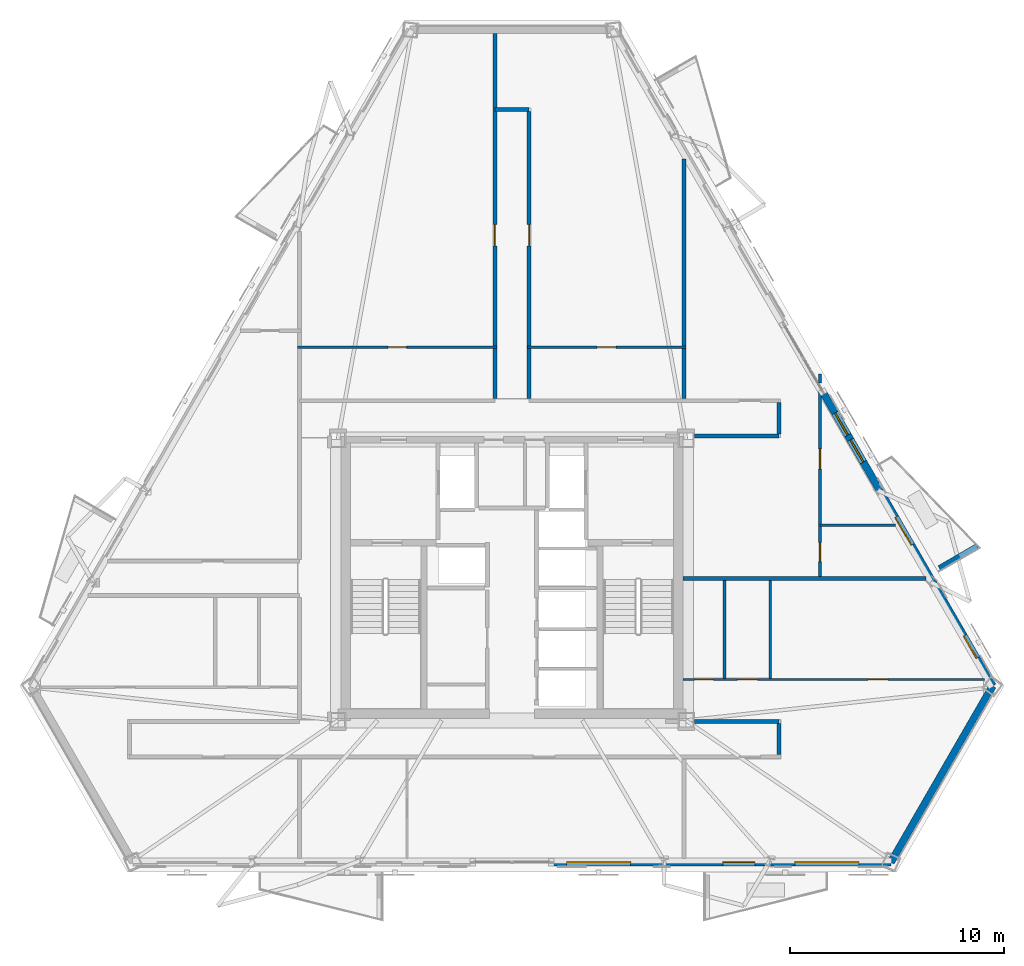
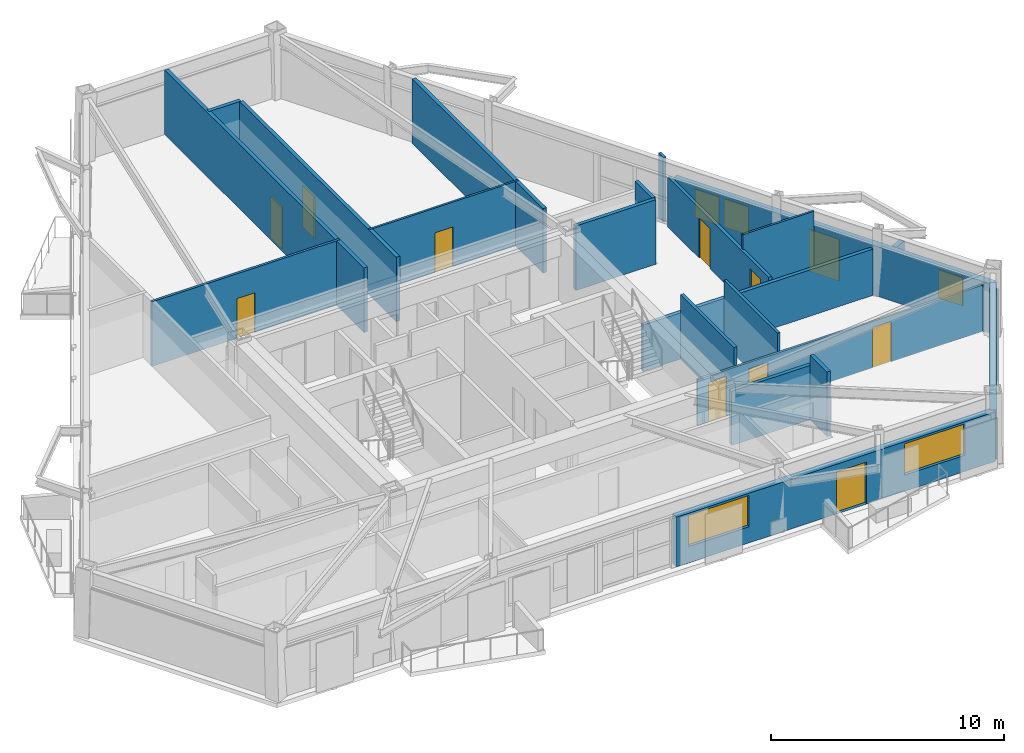
# One storey, part 9 of 14: 21 walls, 11 doors, 5 windows, 16 openings.
"""IFC4 building model written with IfcOpenShell, lengths in metres."""

from ifc_helpers import new_model, si_unit, direction, frame, frame_2d, origin, place, context, subcontext, project, spatial, polyline, rectangle, outline, extrude, material, layer, layer_set, type_object, element, fill, save


model = new_model("IFC4")

# Units and contexts
model_context = context("Model", 3, precision=1e-05, world=origin(), true_north=direction((0.0, 1.0)))
body_context = subcontext(model_context, "Body", "Model", "MODEL_VIEW")
ifc_project = project(units=[si_unit("LENGTHUNIT", "METRE"), si_unit("AREAUNIT", "SQUARE_METRE"), si_unit("VOLUMEUNIT", "CUBIC_METRE"), si_unit("PLANEANGLEUNIT", "RADIAN"), si_unit("MASSUNIT", "GRAM", prefix="KILO")], contexts=[model_context])

# Site, building, storey
site_placement = place(None, origin())
site = spatial("IfcSite", under=ifc_project, at=site_placement, CompositionType="ELEMENT")
building_placement = place(site_placement, origin())
building = spatial("IfcBuilding", under=site, at=building_placement, Name="Oramaril Tower", CompositionType="ELEMENT")
storey_placement = place(building_placement, frame((0.0, 0.0, 149.39990234375)))
storey = spatial("IfcBuildingStorey", under=building, at=storey_placement, Name="L39", CompositionType="ELEMENT", Elevation=149.39990234375)

# Wall, openings, door, windows
ifc_material_1 = material(Name="Warm Cream Limestone", Category="masonry")
ifc_layer_1 = layer(ifc_material_1, 0.340087890625)
ifc_layer_set_1 = layer_set([ifc_layer_1], Name="WT-EXT34")
wall_type_1 = type_object("IfcWallType", Name="WT-EXT34", PredefinedType="SOLIDWALL", material=ifc_layer_set_1)
wall_1_placement = place(storey_placement, frame((39.449951171875, 4.356689453125, 0.0), z_axis=(0.0, 0.0, 1.0), x_axis=(1.0, 0.0, 0.0)))
wall_1 = element("IfcWall", 1, at=wall_1_placement, inside=storey, type_object=wall_type_1, Name="L39 Tower Limestone Facade Wall 2R", PredefinedType="SOLIDWALL", context=body_context, shape_type="SweptSolid", body=[
    extrude(rectangle(XDim=15.7861328125, YDim=0.340087890625, at=frame_2d((7.89306640625, 0.0))), origin(), (0.0, 0.0, 1.0), 2.60009765625),
])
opening_1_placement = place(wall_1_placement, frame((7.91650390625, 0.0, 0.0)))
opening_1 = element("IfcOpeningElement", 2, at=opening_1_placement, cuts=wall_1, Name="Opening D-L39-BAL-S2", PredefinedType="OPENING", context=body_context, shape_type="SweptSolid", body=[
    extrude(rectangle(XDim=1.5, YDim=2.199951171875, at=frame_2d((0.75, 1.10009765625))), frame((0.0, 0.169921875, 0.0), z_axis=(0.0, -1.0, 0.0), x_axis=(1.0, 0.0, 0.0)), (0.0, 0.0, 1.0), 0.340087890625),
])
opening_2_placement = place(wall_1_placement, frame((0.60302734375, 0.0, 0.85009765625)))
opening_2 = element("IfcOpeningElement", 3, at=opening_2_placement, cuts=wall_1, Name="Opening WN-10", PredefinedType="OPENING", context=body_context, shape_type="SweptSolid", body=[
    extrude(rectangle(XDim=3.0, YDim=1.639892578125, at=frame_2d((1.5, 0.81982421875))), frame((0.0, 0.169921875, 0.0), z_axis=(0.0, -1.0, 0.0), x_axis=(1.0, 0.0, 0.0)), (0.0, 0.0, 1.0), 0.340087890625),
])
opening_3_placement = place(wall_1_placement, frame((11.29150390625, 0.0, 0.85009765625)))
opening_3 = element("IfcOpeningElement", 4, at=opening_3_placement, cuts=wall_1, Name="Opening WN-10", PredefinedType="OPENING", context=body_context, shape_type="SweptSolid", body=[
    extrude(rectangle(XDim=3.0, YDim=1.639892578125, at=frame_2d((1.5, 0.81982421875))), frame((0.0, 0.169921875, 0.0), z_axis=(0.0, -1.0, 0.0), x_axis=(1.0, 0.0, 0.0)), (0.0, 0.0, 1.0), 0.340087890625),
])
ifc_material_2 = material(Name="Anodised Aluminium 6063-T6", Category="aluminium")
door_type_1 = type_object("IfcDoorType", Name="DT-BAL", OperationType="NOTDEFINED", PredefinedType="DOOR", material=ifc_material_2)
door_1_placement = place(opening_1_placement, origin())
door_1 = element("IfcDoor", 5, at=door_1_placement, inside=storey, type_object=door_type_1, Name="L39 Balcony Glazed Door L39-BAL-S2", OperationType="SINGLE_SWING_LEFT", OverallHeight=2.199951171875, OverallWidth=1.5, PredefinedType="DOOR", context=body_context, shape_type="SweptSolid", body=[
    extrude(rectangle(XDim=1.5, YDim=2.199951171875, at=frame_2d((0.75, 1.10009765625))), frame((0.0, 0.02490234375, 0.0), z_axis=(0.0, -1.0, 0.0), x_axis=(1.0, 0.0, 0.0)), (0.0, 0.0, 1.0), 0.050048828125),
])
fill(opening_1, door_1)
ifc_material_3 = material(Name="Coastal Low-E Insulated Glass", Category="glass")
window_type_1 = type_object("IfcWindowType", Name="WNT-10", PartitioningType="SINGLE_PANEL", PredefinedType="WINDOW", material=ifc_material_3)
window_1_placement = place(opening_2_placement, origin())
window_1 = element("IfcWindow", 6, at=window_1_placement, inside=storey, type_object=window_type_1, Name="L39 Chicago Bay Window WN-10", OverallHeight=1.639892578125, OverallWidth=3.0, PartitioningType="SINGLE_PANEL", PredefinedType="WINDOW", context=body_context, shape_type="SweptSolid", body=[
    extrude(rectangle(XDim=3.0, YDim=1.639892578125, at=frame_2d((1.5, 0.81982421875))), frame((0.0, 0.030029296875, 0.0), z_axis=(0.0, -1.0, 0.0), x_axis=(1.0, 0.0, 0.0)), (0.0, 0.0, 1.0), 0.06005859375),
])
fill(opening_2, window_1)
window_2_placement = place(opening_3_placement, origin())
window_2 = element("IfcWindow", 7, at=window_2_placement, inside=storey, type_object=window_type_1, Name="L39 Chicago Bay Window WN-10", OverallHeight=1.639892578125, OverallWidth=3.0, PartitioningType="SINGLE_PANEL", PredefinedType="WINDOW", context=body_context, shape_type="SweptSolid", body=[
    extrude(rectangle(XDim=3.0, YDim=1.639892578125, at=frame_2d((1.5, 0.81982421875))), frame((0.0, 0.030029296875, 0.0), z_axis=(0.0, -1.0, 0.0), x_axis=(1.0, 0.0, 0.0)), (0.0, 0.0, 1.0), 0.06005859375),
])
fill(opening_3, window_2)

# Wall
wall_2_placement = place(storey_placement, frame((55.236083984375, 4.356689453125, 0.0), z_axis=(0.0, 0.0, 1.0), x_axis=(0.499981853705, 0.866035880299, 0.0)))
element("IfcWall", 8, at=wall_2_placement, inside=storey, type_object=wall_type_1, Name="L39 Tower Limestone Facade Wall 3M", PredefinedType="SOLIDWALL", context=body_context, shape_type="SweptSolid", body=[
    extrude(rectangle(XDim=9.531982421875, YDim=0.340087890625, at=frame_2d((4.76611328125, 0.0))), origin(), (0.0, 0.0, 1.0), 2.60009765625),
])

# Wall, openings, door, windows
wall_3_placement = place(storey_placement, frame((60.001953125, 12.61181640625, 0.0), z_axis=(0.0, 0.0, 1.0), x_axis=(-0.500001356826, 0.866024620419, 0.0)))
wall_3 = element("IfcWall", 9, at=wall_3_placement, inside=storey, type_object=wall_type_1, Name="L39 Tower Limestone Facade Wall 4L", PredefinedType="SOLIDWALL", context=body_context, shape_type="SweptSolid", body=[
    extrude(rectangle(XDim=15.7861328125, YDim=0.340087890625, at=frame_2d((7.89306640625, 0.0))), origin(), (0.0, 0.0, 1.0), 2.60009765625),
])
opening_4_placement = place(wall_3_placement, frame((7.614501953125, 0.0, 0.0)))
opening_4 = element("IfcOpeningElement", 10, at=opening_4_placement, cuts=wall_3, Name="Opening D-L39-BAL-NE1", PredefinedType="OPENING", context=body_context, shape_type="SweptSolid", body=[
    extrude(rectangle(XDim=1.5, YDim=2.199951171875, at=frame_2d((0.75, 1.10009765625))), frame((0.0, 0.169921875, 0.0), z_axis=(0.0, -1.0, 0.0), x_axis=(1.0, 0.0, 0.0)), (0.0, 0.0, 1.0), 0.340087890625),
])
opening_5_placement = place(wall_3_placement, frame((1.50244140625, 0.0, 0.85009765625)))
opening_5 = element("IfcOpeningElement", 11, at=opening_5_placement, cuts=wall_3, Name="Opening WN-09", PredefinedType="OPENING", context=body_context, shape_type="SweptSolid", body=[
    extrude(rectangle(XDim=1.199951171875, YDim=1.47998046875, at=frame_2d((0.60009765625, 0.739990234375))), frame((0.0, 0.169921875, 0.0), z_axis=(0.0, -1.0, 0.0), x_axis=(1.0, 0.0, 0.0)), (0.0, 0.0, 1.0), 0.340087890625),
])
opening_6_placement = place(wall_3_placement, frame((13.561279296875, 0.0, 0.85009765625)))
opening_6 = element("IfcOpeningElement", 12, at=opening_6_placement, cuts=wall_3, Name="Opening WN-09", PredefinedType="OPENING", context=body_context, shape_type="SweptSolid", body=[
    extrude(rectangle(XDim=1.199951171875, YDim=1.47998046875, at=frame_2d((0.60009765625, 0.739990234375))), frame((0.0, 0.169921875, 0.0), z_axis=(0.0, -1.0, 0.0), x_axis=(1.0, 0.0, 0.0)), (0.0, 0.0, 1.0), 0.340087890625),
])
opening_7_placement = place(wall_3_placement, frame((12.105224609375, 0.0, 0.85009765625)))
opening_7 = element("IfcOpeningElement", 13, at=opening_7_placement, cuts=wall_3, Name="Opening WN-09", PredefinedType="OPENING", context=body_context, shape_type="SweptSolid", body=[
    extrude(rectangle(XDim=1.199951171875, YDim=1.47998046875, at=frame_2d((0.60009765625, 0.739990234375))), frame((0.0, 0.169921875, 0.0), z_axis=(0.0, -1.0, 0.0), x_axis=(1.0, 0.0, 0.0)), (0.0, 0.0, 1.0), 0.340087890625),
])
door_2_placement = place(opening_4_placement, origin())
door_2 = element("IfcDoor", 14, at=door_2_placement, inside=storey, type_object=door_type_1, Name="L39 Balcony Glazed Door L39-BAL-NE1", OperationType="SINGLE_SWING_RIGHT", OverallHeight=2.199951171875, OverallWidth=1.5, PredefinedType="DOOR", context=body_context, shape_type="SweptSolid", body=[
    extrude(rectangle(XDim=1.5, YDim=2.199951171875, at=frame_2d((0.75, 1.10009765625))), frame((0.0, 0.02490234375, 0.0), z_axis=(0.0, -1.0, 0.0), x_axis=(1.0, 0.0, 0.0)), (0.0, 0.0, 1.0), 0.050048828125),
])
fill(opening_4, door_2)
ifc_material_4 = material(Name="Coastal Low-E Insulated Glass", Category="glass")
window_type_2 = type_object("IfcWindowType", Name="WNT-09", PartitioningType="SINGLE_PANEL", PredefinedType="WINDOW", material=ifc_material_4)
window_3_placement = place(opening_5_placement, origin())
window_3 = element("IfcWindow", 15, at=window_3_placement, inside=storey, type_object=window_type_2, Name="L39 Chicago Bay Window WN-09", OverallHeight=1.47998046875, OverallWidth=1.199951171875, PartitioningType="SINGLE_PANEL", PredefinedType="WINDOW", context=body_context, shape_type="SweptSolid", body=[
    extrude(rectangle(XDim=1.199951171875, YDim=1.47998046875, at=frame_2d((0.60009765625, 0.739990234375))), frame((0.0, 0.030029296875, 0.0), z_axis=(0.0, -1.0, 0.0), x_axis=(1.0, 0.0, 0.0)), (0.0, 0.0, 1.0), 0.06005859375),
])
fill(opening_5, window_3)
window_4_placement = place(opening_6_placement, origin())
window_4 = element("IfcWindow", 16, at=window_4_placement, inside=storey, type_object=window_type_2, Name="L39 Chicago Bay Window WN-09", OverallHeight=1.47998046875, OverallWidth=1.199951171875, PartitioningType="SINGLE_PANEL", PredefinedType="WINDOW", context=body_context, shape_type="SweptSolid", body=[
    extrude(rectangle(XDim=1.199951171875, YDim=1.47998046875, at=frame_2d((0.60009765625, 0.739990234375))), frame((0.0, 0.030029296875, 0.0), z_axis=(0.0, -1.0, 0.0), x_axis=(1.0, 0.0, 0.0)), (0.0, 0.0, 1.0), 0.06005859375),
])
fill(opening_6, window_4)
window_5_placement = place(opening_7_placement, origin())
window_5 = element("IfcWindow", 17, at=window_5_placement, inside=storey, type_object=window_type_2, Name="L39 Chicago Bay Window WN-09", OverallHeight=1.47998046875, OverallWidth=1.199951171875, PartitioningType="SINGLE_PANEL", PredefinedType="WINDOW", context=body_context, shape_type="SweptSolid", body=[
    extrude(rectangle(XDim=1.199951171875, YDim=1.47998046875, at=frame_2d((0.60009765625, 0.739990234375))), frame((0.0, 0.030029296875, 0.0), z_axis=(0.0, -1.0, 0.0), x_axis=(1.0, 0.0, 0.0)), (0.0, 0.0, 1.0), 0.06005859375),
])
fill(opening_7, window_5)

# Wall
ifc_material_5 = material(Name="Concrete C40/50", Category="concrete")
ifc_layer_2 = layer(ifc_material_5, 0.22998046875)
ifc_layer_set_2 = layer_set([ifc_layer_2], Name="WT-PRP23")
wall_type_2 = type_object("IfcWallType", Name="WT-PRP23", PredefinedType="PARAPET", material=ifc_layer_set_2)
wall_4_placement = place(storey_placement, frame((57.500244140625, 18.14111328125, 0.0), z_axis=(0.0, 0.0, 1.0), x_axis=(0.866012356593, 0.500022597718, 0.0)))
element("IfcWall", 18, at=wall_4_placement, inside=storey, type_object=wall_type_2, Name="L39 Trapezoidal Balcony Frame Cheek L39-BAL-NE1-L", PredefinedType="PARAPET", context=body_context, shape_type="SweptSolid", body=[
    extrude(outline(polyline([(0.0, 0.0), (2.0419921875, 0.0), (2.0419921875, 1.10009765625), (0.0, 1.320068359375), (0.0, 0.0)])), frame((0.0, 0.114990234375, 0.0), z_axis=(0.0, -1.0, 0.0), x_axis=(1.0, 0.0, 0.0)), (0.0, 0.0, 1.0), 0.22998046875),
])

# Wall, openings, doors
ifc_material_6 = material(Name="Acoustic Gypsum Board Partition")
ifc_layer_3 = layer(ifc_material_6, 0.10009765625)
ifc_layer_set_3 = layer_set([ifc_layer_3], Name="WT-PT10")
wall_type_3 = type_object("IfcWallType", Name="WT-PT10", PredefinedType="PARTITIONING", material=ifc_layer_set_3)
wall_5_placement = place(storey_placement, frame((45.513916015625, 12.919921875, 0.0), z_axis=(0.0, 0.0, 1.0), x_axis=(1.0, 0.0, 0.0)))
wall_5 = element("IfcWall", 19, at=wall_5_placement, inside=storey, type_object=wall_type_3, Name="L39 Interior Partition PT-10", PredefinedType="PARTITIONING", context=body_context, shape_type="SweptSolid", body=[
    extrude(rectangle(XDim=14.09814453125, YDim=0.10009765625, at=frame_2d((7.049072265625, 0.0))), origin(), (0.0, 0.0, 1.0), 2.420166015625),
])
opening_8_placement = place(wall_5_placement, frame((0.535888671875, 0.0, 0.0)))
opening_8 = element("IfcOpeningElement", 20, at=opening_8_placement, cuts=wall_5, Name="Opening D-L39-07", PredefinedType="OPENING", context=body_context, shape_type="SweptSolid", body=[
    extrude(rectangle(XDim=0.8798828125, YDim=2.080078125, at=frame_2d((0.43994140625, 1.0400390625))), frame((0.0, 0.050048828125, 0.0), z_axis=(0.0, -1.0, 0.0), x_axis=(1.0, 0.0, 0.0)), (0.0, 0.0, 1.0), 0.10009765625),
])
opening_9_placement = place(wall_5_placement, frame((2.531494140625, 0.0, 0.0)))
opening_9 = element("IfcOpeningElement", 21, at=opening_9_placement, cuts=wall_5, Name="Opening D-L39-08", PredefinedType="OPENING", context=body_context, shape_type="SweptSolid", body=[
    extrude(rectangle(XDim=0.949951171875, YDim=2.10009765625, at=frame_2d((0.47509765625, 1.050048828125))), frame((0.0, 0.050048828125, 0.0), z_axis=(0.0, -1.0, 0.0), x_axis=(1.0, 0.0, 0.0)), (0.0, 0.0, 1.0), 0.10009765625),
])
opening_10_placement = place(wall_5_placement, frame((8.662353515625, 0.0, 0.0)))
opening_10 = element("IfcOpeningElement", 22, at=opening_10_placement, cuts=wall_5, Name="Opening D-L39-09", PredefinedType="OPENING", context=body_context, shape_type="SweptSolid", body=[
    extrude(rectangle(XDim=0.919921875, YDim=2.1201171875, at=frame_2d((0.4599609375, 1.06005859375))), frame((0.0, 0.050048828125, 0.0), z_axis=(0.0, -1.0, 0.0), x_axis=(1.0, 0.0, 0.0)), (0.0, 0.0, 1.0), 0.10009765625),
])
ifc_material_7 = material(Name="FSC Brazilian Freijo Hardwood", Category="wood")
door_type_2 = type_object("IfcDoorType", Name="DT-BATH", OperationType="NOTDEFINED", PredefinedType="DOOR", material=ifc_material_7)
door_3_placement = place(opening_8_placement, origin())
door_3 = element("IfcDoor", 23, at=door_3_placement, inside=storey, type_object=door_type_2, Name="L39 Flat L39-U4 Bathroom Door D-L39-07", OperationType="SINGLE_SWING_RIGHT", OverallHeight=2.080078125, OverallWidth=0.8798828125, PredefinedType="DOOR", context=body_context, shape_type="SweptSolid", body=[
    extrude(rectangle(XDim=0.8798828125, YDim=2.080078125, at=frame_2d((0.43994140625, 1.0400390625))), frame((0.0, 0.02490234375, 0.0), z_axis=(0.0, -1.0, 0.0), x_axis=(1.0, 0.0, 0.0)), (0.0, 0.0, 1.0), 0.050048828125),
])
fill(opening_8, door_3)
ifc_material_8 = material(Name="FSC Brazilian Freijo Hardwood", Category="wood")
door_type_3 = type_object("IfcDoorType", Name="DT-BED", OperationType="NOTDEFINED", PredefinedType="DOOR", material=ifc_material_8)
door_4_placement = place(opening_10_placement, origin())
door_4 = element("IfcDoor", 24, at=door_4_placement, inside=storey, type_object=door_type_3, Name="L39 Flat L39-U4 Master Bedroom Door D-L39-09", OperationType="SINGLE_SWING_RIGHT", OverallHeight=2.1201171875, OverallWidth=0.919921875, PredefinedType="DOOR", context=body_context, shape_type="SweptSolid", body=[
    extrude(rectangle(XDim=0.919921875, YDim=2.1201171875, at=frame_2d((0.4599609375, 1.06005859375))), frame((0.0, 0.02490234375, 0.0), z_axis=(0.0, -1.0, 0.0), x_axis=(1.0, 0.0, 0.0)), (0.0, 0.0, 1.0), 0.050048828125),
])
fill(opening_10, door_4)
ifc_material_9 = material(Name="FSC Brazilian Freijo Hardwood", Category="wood")
door_type_4 = type_object("IfcDoorType", Name="DT-STDY", OperationType="NOTDEFINED", PredefinedType="DOOR", material=ifc_material_9)
door_5_placement = place(opening_9_placement, origin())
door_5 = element("IfcDoor", 25, at=door_5_placement, inside=storey, type_object=door_type_4, Name="L39 Flat L39-U4 Kitchen Door D-L39-08", OperationType="SINGLE_SWING_LEFT", OverallHeight=2.10009765625, OverallWidth=0.949951171875, PredefinedType="DOOR", context=body_context, shape_type="SweptSolid", body=[
    extrude(rectangle(XDim=0.949951171875, YDim=2.10009765625, at=frame_2d((0.47509765625, 1.050048828125))), frame((0.0, 0.02490234375, 0.0), z_axis=(0.0, -1.0, 0.0), x_axis=(1.0, 0.0, 0.0)), (0.0, 0.0, 1.0), 0.050048828125),
])
fill(opening_9, door_5)

# Wall
wall_6_placement = place(storey_placement, frame((51.921630859375, 20.139892578125, 0.0), z_axis=(0.0, 0.0, 1.0), x_axis=(1.0, 0.0, 0.0)))
element("IfcWall", 26, at=wall_6_placement, inside=storey, type_object=wall_type_3, Name="L39 Interior Partition PT-10", PredefinedType="PARTITIONING", context=body_context, shape_type="SweptSolid", body=[
    extrude(rectangle(XDim=3.532958984375, YDim=0.10009765625, at=frame_2d((1.7666015625, 0.0))), origin(), (0.0, 0.0, 1.0), 3.380126953125),
])

# Wall, opening, door
wall_7_placement = place(storey_placement, frame((38.218017578125, 28.469970703125, 0.0), z_axis=(0.0, 0.0, 1.0), x_axis=(1.0, 0.0, 0.0)))
wall_7 = element("IfcWall", 27, at=wall_7_placement, inside=storey, type_object=wall_type_3, Name="L39 Interior Partition PT-10", PredefinedType="PARTITIONING", context=body_context, shape_type="SweptSolid", body=[
    extrude(rectangle(XDim=7.424072265625, YDim=0.10009765625, at=frame_2d((3.7119140625, 0.0))), origin(), (0.0, 0.0, 1.0), 3.380126953125),
])
opening_11_placement = place(wall_7_placement, frame((3.27197265625, 0.0, 0.0)))
opening_11 = element("IfcOpeningElement", 28, at=opening_11_placement, cuts=wall_7, Name="Opening D-L39-13", PredefinedType="OPENING", context=body_context, shape_type="SweptSolid", body=[
    extrude(rectangle(XDim=0.8798828125, YDim=2.080078125, at=frame_2d((0.43994140625, 1.0400390625))), frame((0.0, 0.050048828125, 0.0), z_axis=(0.0, -1.0, 0.0), x_axis=(1.0, 0.0, 0.0)), (0.0, 0.0, 1.0), 0.10009765625),
])
door_6_placement = place(opening_11_placement, origin())
door_6 = element("IfcDoor", 29, at=door_6_placement, inside=storey, type_object=door_type_2, Name="L39 Flat L39-U7 Bathroom Door D-L39-13", OperationType="SINGLE_SWING_RIGHT", OverallHeight=2.080078125, OverallWidth=0.8798828125, PredefinedType="DOOR", context=body_context, shape_type="SweptSolid", body=[
    extrude(rectangle(XDim=0.8798828125, YDim=2.080078125, at=frame_2d((0.43994140625, 1.0400390625))), frame((0.0, 0.02490234375, 0.0), z_axis=(0.0, -1.0, 0.0), x_axis=(1.0, 0.0, 0.0)), (0.0, 0.0, 1.0), 0.050048828125),
])
fill(opening_11, door_6)

ifc_material_10 = material(Name="Acoustic Gypsum Board Partition")
ifc_layer_4 = layer(ifc_material_10, 0.1201171875)
ifc_layer_set_4 = layer_set([ifc_layer_4], Name="WT-PT12")
wall_type_4 = type_object("IfcWallType", Name="WT-PT12", PredefinedType="PARTITIONING", material=ifc_layer_set_4)
wall_8_placement = place(storey_placement, frame((27.468017578125, 28.469970703125, 0.0), z_axis=(0.0, 0.0, 1.0), x_axis=(1.0, 0.0, 0.0)))
wall_8 = element("IfcWall", 30, at=wall_8_placement, inside=storey, type_object=wall_type_4, Name="L39 Interior Partition PT-12", PredefinedType="PARTITIONING", context=body_context, shape_type="SweptSolid", body=[
    extrude(rectangle(XDim=9.31396484375, YDim=0.1201171875, at=frame_2d((4.656982421875, 0.0))), origin(), (0.0, 0.0, 1.0), 3.380126953125),
])
opening_12_placement = place(wall_8_placement, frame((4.217041015625, 0.0, 0.0)))
opening_12 = element("IfcOpeningElement", 31, at=opening_12_placement, cuts=wall_8, Name="Opening D-L39-12", PredefinedType="OPENING", context=body_context, shape_type="SweptSolid", body=[
    extrude(rectangle(XDim=0.8798828125, YDim=2.080078125, at=frame_2d((0.43994140625, 1.0400390625))), frame((0.0, 0.06005859375, 0.0), z_axis=(0.0, -1.0, 0.0), x_axis=(1.0, 0.0, 0.0)), (0.0, 0.0, 1.0), 0.1201171875),
])
door_7_placement = place(opening_12_placement, origin())
door_7 = element("IfcDoor", 32, at=door_7_placement, inside=storey, type_object=door_type_2, Name="L39 Flat L39-U6 Bathroom Door D-L39-12", OperationType="SINGLE_SWING_LEFT", OverallHeight=2.080078125, OverallWidth=0.8798828125, PredefinedType="DOOR", context=body_context, shape_type="SweptSolid", body=[
    extrude(rectangle(XDim=0.8798828125, YDim=2.080078125, at=frame_2d((0.43994140625, 1.0400390625))), frame((0.0, 0.02490234375, 0.0), z_axis=(0.0, -1.0, 0.0), x_axis=(1.0, 0.0, 0.0)), (0.0, 0.0, 1.0), 0.050048828125),
])
fill(opening_12, door_7)

# Walls
ifc_material_11 = material(Name="Acoustic Gypsum Board Partition")
ifc_layer_5 = layer(ifc_material_11, 0.139892578125)
ifc_layer_set_5 = layer_set([ifc_layer_5], Name="WT-PT14")
wall_type_5 = type_object("IfcWallType", Name="WT-PT14", PredefinedType="PARTITIONING", material=ifc_layer_set_5)
wall_9_placement = place(storey_placement, frame((49.590087890625, 12.97412109375, 0.0), z_axis=(0.0, 0.0, 1.0), x_axis=(0.0, 1.0, 0.0)))
element("IfcWall", 33, at=wall_9_placement, inside=storey, type_object=wall_type_5, Name="L39 Interior Partition PT-14", PredefinedType="PARTITIONING", context=body_context, shape_type="SweptSolid", body=[
    extrude(rectangle(XDim=4.581787109375, YDim=0.139892578125, at=frame_2d((2.291015625, 0.0))), origin(), (0.0, 0.0, 1.0), 3.380126953125),
])
wall_10_placement = place(storey_placement, frame((51.919921875, 26.79833984375, 0.0), z_axis=(0.0, 0.0, 1.0), x_axis=(0.0, 1.0, 0.0)))
element("IfcWall", 34, at=wall_10_placement, inside=storey, type_object=wall_type_5, Name="L39 Interior Partition PT-14", PredefinedType="PARTITIONING", context=body_context, shape_type="SweptSolid", body=[
    extrude(rectangle(XDim=0.411865234375, YDim=0.139892578125, at=frame_2d((0.2060546875, 0.0))), origin(), (0.0, 0.0, 1.0), 3.380126953125),
])
ifc_material_12 = material(Name="Acoustic Gypsum Board Partition")
ifc_layer_6 = layer(ifc_material_12, 0.159912109375)
ifc_layer_set_6 = layer_set([ifc_layer_6], Name="WT-PT16")
wall_type_6 = type_object("IfcWallType", Name="WT-PT16", PredefinedType="PARTITIONING", material=ifc_layer_set_6)
wall_11_placement = place(storey_placement, frame((47.449951171875, 12.97412109375, 0.0), z_axis=(0.0, 0.0, 1.0), x_axis=(0.0, 1.0, 0.0)))
element("IfcWall", 35, at=wall_11_placement, inside=storey, type_object=wall_type_6, Name="L39 Interior Partition PT-16", PredefinedType="PARTITIONING", context=body_context, shape_type="SweptSolid", body=[
    extrude(rectangle(XDim=4.581787109375, YDim=0.159912109375, at=frame_2d((2.291015625, 0.0))), origin(), (0.0, 0.0, 1.0), 3.380126953125),
])

# Wall, openings, doors
wall_12_placement = place(storey_placement, frame((51.919921875, 17.743896484375, 0.0), z_axis=(0.0, 0.0, 1.0), x_axis=(0.0, 1.0, 0.0)))
wall_12 = element("IfcWall", 36, at=wall_12_placement, inside=storey, type_object=wall_type_6, Name="L39 Interior Partition PT-16", PredefinedType="PARTITIONING", context=body_context, shape_type="SweptSolid", body=[
    extrude(rectangle(XDim=8.678466796875, YDim=0.159912109375, at=frame_2d((4.33935546875, 0.0))), origin(), (0.0, 0.0, 1.0), 2.60009765625),
])
opening_13_placement = place(wall_12_placement, frame((0.697021484375, 0.0, 0.0)))
opening_13 = element("IfcOpeningElement", 37, at=opening_13_placement, cuts=wall_12, Name="Opening D-L39-18", PredefinedType="OPENING", context=body_context, shape_type="SweptSolid", body=[
    extrude(rectangle(XDim=0.8798828125, YDim=2.080078125, at=frame_2d((0.43994140625, 1.0400390625))), frame((0.0, 0.080078125, 0.0), z_axis=(0.0, -1.0, 0.0), x_axis=(1.0, 0.0, 0.0)), (0.0, 0.0, 1.0), 0.159912109375),
])
opening_14_placement = place(wall_12_placement, frame((5.020751953125, 0.0, 0.0)))
opening_14 = element("IfcOpeningElement", 38, at=opening_14_placement, cuts=wall_12, Name="Opening D-L39-19", PredefinedType="OPENING", context=body_context, shape_type="SweptSolid", body=[
    extrude(rectangle(XDim=0.949951171875, YDim=2.10009765625, at=frame_2d((0.47509765625, 1.050048828125))), frame((0.0, 0.080078125, 0.0), z_axis=(0.0, -1.0, 0.0), x_axis=(1.0, 0.0, 0.0)), (0.0, 0.0, 1.0), 0.159912109375),
])
door_8_placement = place(opening_13_placement, origin())
door_8 = element("IfcDoor", 39, at=door_8_placement, inside=storey, type_object=door_type_2, Name="L39 Flat L39-U5 Bathroom Door D-L39-18", OperationType="SINGLE_SWING_LEFT", OverallHeight=2.080078125, OverallWidth=0.8798828125, PredefinedType="DOOR", context=body_context, shape_type="SweptSolid", body=[
    extrude(rectangle(XDim=0.8798828125, YDim=2.080078125, at=frame_2d((0.43994140625, 1.0400390625))), frame((0.0, 0.02490234375, 0.0), z_axis=(0.0, -1.0, 0.0), x_axis=(1.0, 0.0, 0.0)), (0.0, 0.0, 1.0), 0.050048828125),
])
fill(opening_13, door_8)
door_9_placement = place(opening_14_placement, origin())
door_9 = element("IfcDoor", 40, at=door_9_placement, inside=storey, type_object=door_type_4, Name="L39 Flat L39-U5 Kitchen Door D-L39-19", OperationType="SINGLE_SWING_RIGHT", OverallHeight=2.10009765625, OverallWidth=0.949951171875, PredefinedType="DOOR", context=body_context, shape_type="SweptSolid", body=[
    extrude(rectangle(XDim=0.949951171875, YDim=2.10009765625, at=frame_2d((0.47509765625, 1.050048828125))), frame((0.0, 0.02490234375, 0.0), z_axis=(0.0, -1.0, 0.0), x_axis=(1.0, 0.0, 0.0)), (0.0, 0.0, 1.0), 0.050048828125),
])
fill(opening_14, door_9)

# Walls
ifc_material_13 = material(Name="Autoclaved Cellular Concrete Block", Category="concrete")
ifc_layer_7 = layer(ifc_material_13, 0.179931640625)
ifc_layer_set_7 = layer_set([ifc_layer_7], Name="WT-PT18")
wall_type_7 = type_object("IfcWallType", Name="WT-PT18", PredefinedType="PARTITIONING", material=ifc_layer_set_7)
wall_13_placement = place(storey_placement, frame((46.0400390625, 10.949951171875, 0.0), z_axis=(0.0, 0.0, 1.0), x_axis=(1.0, 0.0, 0.0)))
element("IfcWall", 41, at=wall_13_placement, inside=storey, type_object=wall_type_7, Name="L39 Interior Partition PT-18", PredefinedType="PARTITIONING", context=body_context, shape_type="SweptSolid", body=[
    extrude(rectangle(XDim=3.9599609375, YDim=0.179931640625, at=frame_2d((1.97998046875, 0.0))), origin(), (0.0, 0.0, 1.0), 2.842041015625),
])
wall_14_placement = place(storey_placement, frame((45.513916015625, 17.64990234375, 0.0), z_axis=(0.0, 0.0, 1.0), x_axis=(1.0, 0.0, 0.0)))
element("IfcWall", 42, at=wall_14_placement, inside=storey, type_object=wall_type_7, Name="L39 Interior Partition PT-18", PredefinedType="PARTITIONING", context=body_context, shape_type="SweptSolid", body=[
    extrude(rectangle(XDim=11.37841796875, YDim=0.179931640625, at=frame_2d((5.689208984375, 0.0))), origin(), (0.0, 0.0, 1.0), 2.420166015625),
])
wall_15_placement = place(storey_placement, frame((46.0400390625, 24.320068359375, 0.0), z_axis=(0.0, 0.0, 1.0), x_axis=(1.0, 0.0, 0.0)))
element("IfcWall", 43, at=wall_15_placement, inside=storey, type_object=wall_type_7, Name="L39 Interior Partition PT-18", PredefinedType="PARTITIONING", context=body_context, shape_type="SweptSolid", body=[
    extrude(rectangle(XDim=3.9599609375, YDim=0.179931640625, at=frame_2d((1.97998046875, 0.0))), origin(), (0.0, 0.0, 1.0), 3.380126953125),
])
wall_16_placement = place(storey_placement, frame((36.699951171875, 39.60009765625, 0.0), z_axis=(0.0, 0.0, 1.0), x_axis=(1.0, 0.0, 0.0)))
element("IfcWall", 44, at=wall_16_placement, inside=storey, type_object=wall_type_7, Name="L39 Interior Partition PT-18", PredefinedType="PARTITIONING", context=body_context, shape_type="SweptSolid", body=[
    extrude(rectangle(XDim=1.60009765625, YDim=0.179931640625, at=frame_2d((0.800048828125, 0.0))), origin(), (0.0, 0.0, 1.0), 3.380126953125),
])

# Wall, opening, door
wall_17_placement = place(storey_placement, frame((36.699951171875, 26.06396484375, 0.0), z_axis=(0.0, 0.0, 1.0), x_axis=(0.0, 1.0, 0.0)))
wall_17 = element("IfcWall", 45, at=wall_17_placement, inside=storey, type_object=wall_type_7, Name="L39 Interior Partition PT-18", PredefinedType="PARTITIONING", context=body_context, shape_type="SweptSolid", body=[
    extrude(rectangle(XDim=17.093505859375, YDim=0.179931640625, at=frame_2d((8.546875, 0.0))), origin(), (0.0, 0.0, 1.0), 3.380126953125),
])
opening_15_placement = place(wall_17_placement, frame((7.14990234375, 0.0, 0.0)))
opening_15 = element("IfcOpeningElement", 46, at=opening_15_placement, cuts=wall_17, Name="Opening D-L39-16", PredefinedType="OPENING", context=body_context, shape_type="SweptSolid", body=[
    extrude(rectangle(XDim=1.0, YDim=2.179931640625, at=frame_2d((0.5, 1.08984375))), frame((0.0, 0.08984375, 0.0), z_axis=(0.0, -1.0, 0.0), x_axis=(1.0, 0.0, 0.0)), (0.0, 0.0, 1.0), 0.179931640625),
])
ifc_material_14 = material(Name="FSC Brazilian Freijo Hardwood", Category="wood")
door_type_5 = type_object("IfcDoorType", Name="DT-APT", OperationType="NOTDEFINED", PredefinedType="DOOR", material=ifc_material_14)
door_10_placement = place(opening_15_placement, origin())
door_10 = element("IfcDoor", 47, at=door_10_placement, inside=storey, type_object=door_type_5, Name="L39 Flat L39-U6 Kitchen and Studio Apartment Door D-L39-16", OperationType="SINGLE_SWING_LEFT", OverallHeight=2.179931640625, OverallWidth=1.0, PredefinedType="DOOR", context=body_context, shape_type="SweptSolid", body=[
    extrude(rectangle(XDim=1.0, YDim=2.179931640625, at=frame_2d((0.5, 1.08984375))), frame((0.0, 0.02490234375, 0.0), z_axis=(0.0, -1.0, 0.0), x_axis=(1.0, 0.0, 0.0)), (0.0, 0.0, 1.0), 0.050048828125),
])
fill(opening_15, door_10)

wall_18_placement = place(storey_placement, frame((38.300048828125, 26.06396484375, 0.0), z_axis=(0.0, 0.0, 1.0), x_axis=(0.0, 1.0, 0.0)))
wall_18 = element("IfcWall", 48, at=wall_18_placement, inside=storey, type_object=wall_type_7, Name="L39 Interior Partition PT-18", PredefinedType="PARTITIONING", context=body_context, shape_type="SweptSolid", body=[
    extrude(rectangle(XDim=13.442138671875, YDim=0.179931640625, at=frame_2d((6.72119140625, 0.0))), origin(), (0.0, 0.0, 1.0), 3.380126953125),
])
opening_16_placement = place(wall_18_placement, frame((7.14990234375, 0.0, 0.0)))
opening_16 = element("IfcOpeningElement", 49, at=opening_16_placement, cuts=wall_18, Name="Opening D-L39-17", PredefinedType="OPENING", context=body_context, shape_type="SweptSolid", body=[
    extrude(rectangle(XDim=1.0, YDim=2.179931640625, at=frame_2d((0.5, 1.08984375))), frame((0.0, 0.08984375, 0.0), z_axis=(0.0, -1.0, 0.0), x_axis=(1.0, 0.0, 0.0)), (0.0, 0.0, 1.0), 0.179931640625),
])
door_11_placement = place(opening_16_placement, origin())
door_11 = element("IfcDoor", 50, at=door_11_placement, inside=storey, type_object=door_type_5, Name="L39 Flat L39-U7 Kitchen and Studio Apartment Door D-L39-17", OperationType="SINGLE_SWING_RIGHT", OverallHeight=2.179931640625, OverallWidth=1.0, PredefinedType="DOOR", context=body_context, shape_type="SweptSolid", body=[
    extrude(rectangle(XDim=1.0, YDim=2.179931640625, at=frame_2d((0.5, 1.08984375))), frame((0.0, 0.02490234375, 0.0), z_axis=(0.0, -1.0, 0.0), x_axis=(1.0, 0.0, 0.0)), (0.0, 0.0, 1.0), 0.050048828125),
])
fill(opening_16, door_11)

# Walls
wall_19_placement = place(storey_placement, frame((45.56005859375, 26.06396484375, 0.0), z_axis=(0.0, 0.0, 1.0), x_axis=(0.0, 1.0, 0.0)))
element("IfcWall", 51, at=wall_19_placement, inside=storey, type_object=wall_type_7, Name="L39 Interior Partition PT-18", PredefinedType="PARTITIONING", context=body_context, shape_type="SweptSolid", body=[
    extrude(rectangle(XDim=11.214111328125, YDim=0.179931640625, at=frame_2d((5.60693359375, 0.0))), origin(), (0.0, 0.0, 1.0), 3.380126953125),
])
for number, where, z_axis, x_axis, name in (
    (52, (50.0, 9.39404296875, 0.0), (0.0, 0.0, 1.0), (0.0, 1.0, 0.0), "L39 Interior Partition PT-18"),
    (53, (50.0, 24.4140625, 0.0), (0.0, 0.0, 1.0), (0.0, 1.0, 0.0), "L39 Interior Partition PT-18"),
):
    element("IfcWall", number, at=place(storey_placement, frame(where, z_axis=z_axis, x_axis=x_axis)), inside=storey, type_object=wall_type_7, Name=name, PredefinedType="PARTITIONING", context=body_context, shape_type="SweptSolid", body=[
        extrude(rectangle(XDim=1.4619140625, YDim=0.179931640625, at=frame_2d((0.73095703125, 0.0))), origin(), (0.0, 0.0, 1.0), 3.380126953125),
    ])

save(model, "model.ifc")
